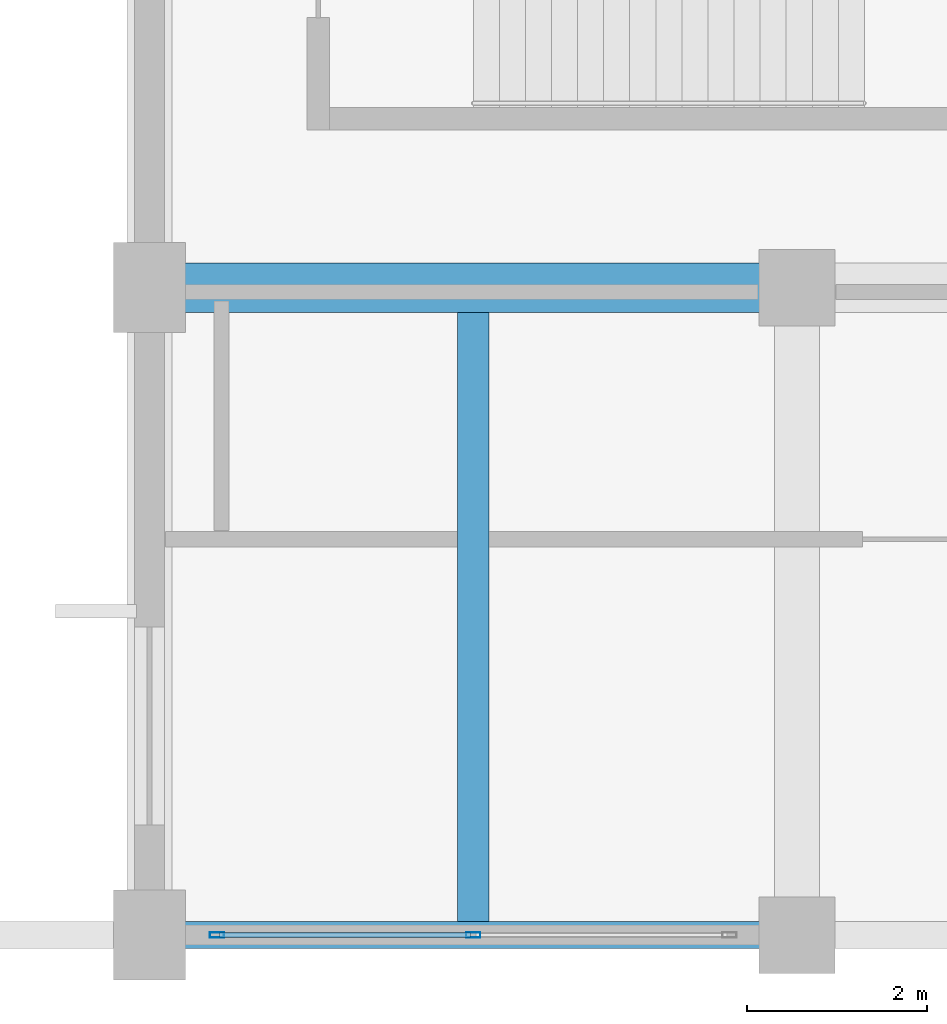
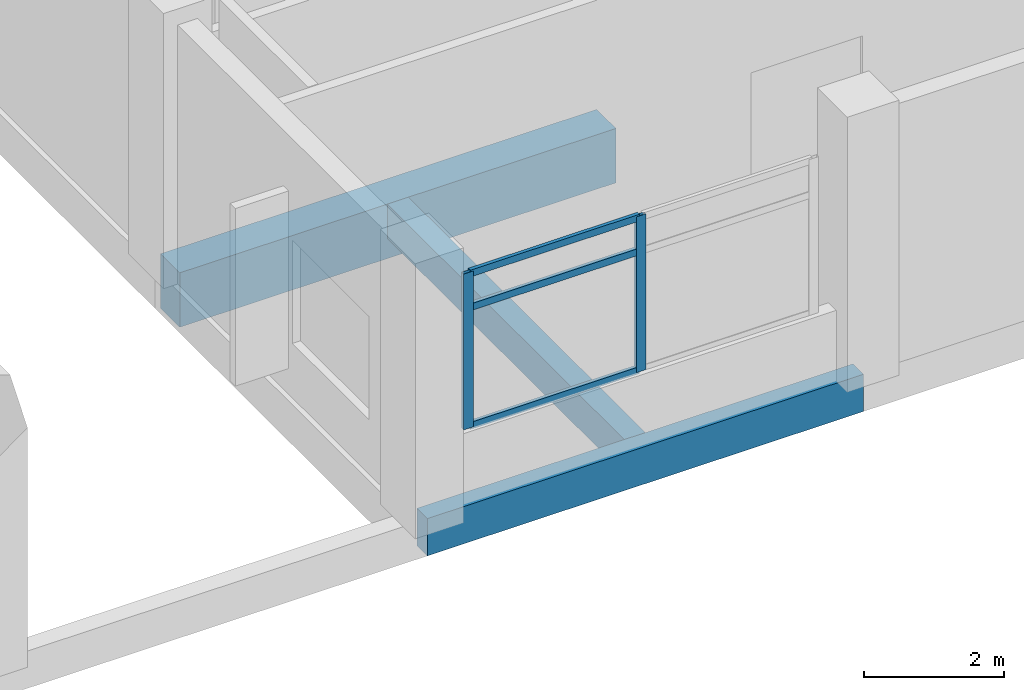
# One storey, part 6 of 181: 5 members, 3 beams, 1 element without a shape of its own.
"""IFC4 building model written with IfcOpenShell, lengths in metres."""

from ifc_helpers import new_model, si_unit, direction, frame, origin, origin_2d, place, context, subcontext, project, spatial, rectangle, hollow_rectangle, extrude, material, layer, layer_set, material_profile, profile_set, type_object, element, aggregate, save


model = new_model("IFC4")

# Units and contexts
model_context = context("Model", 3, precision=1e-05, world=origin(), true_north=direction((0.0, 1.0)))
body_context = subcontext(model_context, "Body", "Model", "MODEL_VIEW")
ifc_project = project(units=[si_unit("LENGTHUNIT", "METRE"), si_unit("AREAUNIT", "SQUARE_METRE"), si_unit("VOLUMEUNIT", "CUBIC_METRE"), si_unit("PLANEANGLEUNIT", "RADIAN"), si_unit("MASSUNIT", "GRAM", prefix="KILO")], contexts=[model_context])

# Site, building, storey
site_placement = place(None, origin())
site = spatial("IfcSite", under=ifc_project, at=site_placement, CompositionType="ELEMENT")
building_placement = place(site_placement, origin())
building = spatial("IfcBuilding", under=site, at=building_placement, Name="Seraya Terrace Polytechnic", CompositionType="ELEMENT")
storey_placement = place(building_placement, frame((0.0, 0.0, 4.800048828125)))
storey = spatial("IfcBuildingStorey", under=building, at=storey_placement, Name="L01", CompositionType="ELEMENT", Elevation=4.800048828125)

# Beam
ifc_material_1 = material(Name="Concrete C40/50", Category="concrete")
ifc_material_profile_1 = material_profile(ifc_material_1, rectangle(XDim=0.550048828125, YDim=0.949951171875, at=origin_2d()), Name="RC 550x950")
ifc_profile_set_1 = profile_set([ifc_material_profile_1], Name="Concrete C40/50")
beam_type_1 = type_object("IfcBeamType", Name="BM-03", PredefinedType="BEAM", material=ifc_profile_set_1)
beam_1_placement = place(storey_placement, frame((43.199951171875, 7.199951171875, -0.47509765625), z_axis=(1.0, 0.0, 0.0), x_axis=(0.0, 1.0, 0.0)))
element("IfcBeam", 1, at=beam_1_placement, inside=storey, type_object=beam_type_1, Name="Beam BM-03 L01 X (43.2..50.4, 7.2)", PredefinedType="BEAM", context=body_context, shape_type="SweptSolid", body=[
    extrude(rectangle(XDim=0.550048828125, YDim=0.949951171875, at=origin_2d()), origin(), (0.0, 0.0, 1.0), 7.199951171875),
])

# Curtain wall, members
ifc_material_2 = material(Name="Anodised aluminium EN AW-6063 T6", Category="aluminium")
ifc_layer = layer(ifc_material_2, 0.179931640625, Name="CW-35")
ifc_layer_set = layer_set([ifc_layer], Name="Anodised aluminium EN AW-6063 T6")
curtain_wall_type = type_object("IfcCurtainWallType", Name="CW-35", PredefinedType="NOTDEFINED", material=ifc_layer_set)
curtain_wall_placement = place(storey_placement, origin())
curtain_wall = element("IfcCurtainWall", 2, at=curtain_wall_placement, inside=storey, type_object=curtain_wall_type, Name="Unitised curtain wall CW-35 (CW-L01-035)", PredefinedType="NOTDEFINED")
ifc_material_profile_2 = material_profile(ifc_material_2, hollow_rectangle(XDim=0.06005859375, YDim=0.159912109375, WallThickness=0.00341796875, at=origin_2d()), Name="RHS 160x60x3.5")
ifc_profile_set_2 = profile_set([ifc_material_profile_2], Name="Anodised aluminium EN AW-6063 T6")
member_type_1 = type_object("IfcMemberType", Name="CWM-02", PredefinedType="MULLION", material=ifc_profile_set_2)
member_1_placement = place(storey_placement, frame((46.800048828125, 0.0, 1.239990234375), z_axis=(0.0, 0.0, 1.0), x_axis=(0.0, -1.0, 0.0)))
member_1 = element("IfcMember", 3, at=member_1_placement, type_object=member_type_1, Name="CW-35 mullion 2", PredefinedType="MULLION", context=body_context, shape_type="SweptSolid", body=[
    extrude(hollow_rectangle(XDim=0.06005859375, YDim=0.159912109375, WallThickness=0.00341796875, at=origin_2d()), origin(), (0.0, 0.0, 1.0), 2.719970703125),
])
member_2_placement = place(storey_placement, frame((43.949951171875, 0.0, 1.239990234375), z_axis=(0.0, 0.0, 1.0), x_axis=(0.0, -1.0, 0.0)))
member_2 = element("IfcMember", 4, at=member_2_placement, type_object=member_type_1, Name="CW-35 mullion 3", PredefinedType="MULLION", context=body_context, shape_type="SweptSolid", body=[
    extrude(hollow_rectangle(XDim=0.06005859375, YDim=0.159912109375, WallThickness=0.00341796875, at=origin_2d()), origin(), (0.0, 0.0, 1.0), 2.719970703125),
])
ifc_material_profile_3 = material_profile(ifc_material_2, hollow_rectangle(XDim=0.06005859375, YDim=0.1201171875, WallThickness=0.003173828125, at=origin_2d()), Name="RHS 120x60x3.2")
ifc_profile_set_3 = profile_set([ifc_material_profile_3], Name="Anodised aluminium EN AW-6063 T6")
member_type_2 = type_object("IfcMemberType", Name="CWT-02", PredefinedType="USERDEFINED", material=ifc_profile_set_3)
member_3_placement = place(storey_placement, frame((46.77001953125, 0.0, 1.27001953125), z_axis=(-1.0, 0.0, 0.0), x_axis=(0.0, -1.0, 0.0)))
member_3 = element("IfcMember", 5, at=member_3_placement, type_object=member_type_2, Name="CW-35 transom 2.1", ObjectType="TRANSOM", PredefinedType="USERDEFINED", context=body_context, shape_type="SweptSolid", body=[
    extrude(hollow_rectangle(XDim=0.06005859375, YDim=0.1201171875, WallThickness=0.003173828125, at=origin_2d()), origin(), (0.0, 0.0, 1.0), 2.7900390625),
])
member_4_placement = place(storey_placement, frame((46.77001953125, 0.0, 3.33984375), z_axis=(-1.0, 0.0, 0.0), x_axis=(0.0, -1.0, 0.0)))
member_4 = element("IfcMember", 6, at=member_4_placement, type_object=member_type_2, Name="CW-35 transom 2.2", ObjectType="TRANSOM", PredefinedType="USERDEFINED", context=body_context, shape_type="SweptSolid", body=[
    extrude(hollow_rectangle(XDim=0.06005859375, YDim=0.1201171875, WallThickness=0.003173828125, at=origin_2d()), origin(), (0.0, 0.0, 1.0), 2.7900390625),
])
member_5_placement = place(storey_placement, frame((46.77001953125, 0.0, 3.929931640625), z_axis=(-1.0, 0.0, 0.0), x_axis=(0.0, -1.0, 0.0)))
member_5 = element("IfcMember", 7, at=member_5_placement, type_object=member_type_2, Name="CW-35 transom 2.3", ObjectType="TRANSOM", PredefinedType="USERDEFINED", context=body_context, shape_type="SweptSolid", body=[
    extrude(hollow_rectangle(XDim=0.06005859375, YDim=0.1201171875, WallThickness=0.003173828125, at=origin_2d()), origin(), (0.0, 0.0, 1.0), 2.7900390625),
])
aggregate(curtain_wall, [member_1, member_2, member_3, member_4, member_5])

# Beams
ifc_material_profile_4 = material_profile(ifc_material_1, rectangle(XDim=0.35009765625, YDim=0.60009765625, at=origin_2d()), Name="RC 350x600")
ifc_profile_set_4 = profile_set([ifc_material_profile_4], Name="Concrete C40/50")
beam_type_2 = type_object("IfcBeamType", Name="JS-02", PredefinedType="JOIST", material=ifc_profile_set_4)
beam_2_placement = place(storey_placement, frame((46.800048828125, 0.14990234375, -0.300048828125), z_axis=(0.0, 1.0, 0.0), x_axis=(-1.0, 0.0, 0.0)))
element("IfcBeam", 8, at=beam_2_placement, inside=storey, type_object=beam_type_2, Name="Secondary joist JS-02 L01", PredefinedType="JOIST", context=body_context, shape_type="SweptSolid", body=[
    extrude(rectangle(XDim=0.35009765625, YDim=0.60009765625, at=origin_2d()), origin(), (0.0, 0.0, 1.0), 6.775146484375),
])
ifc_material_profile_5 = material_profile(ifc_material_1, rectangle(XDim=0.300048828125, YDim=0.64990234375, at=origin_2d()), Name="RC 300x650")
ifc_profile_set_5 = profile_set([ifc_material_profile_5], Name="Concrete C40/50")
beam_type_3 = type_object("IfcBeamType", Name="SP-01", PredefinedType="SPANDREL", material=ifc_profile_set_5)
beam_3_placement = place(storey_placement, frame((43.199951171875, 0.0, -0.324951171875), z_axis=(1.0, 0.0, 0.0), x_axis=(0.0, 1.0, 0.0)))
element("IfcBeam", 9, at=beam_3_placement, inside=storey, type_object=beam_type_3, Name="Beam SP-01 L01 X (43.2..50.4, 0.0)", PredefinedType="SPANDREL", context=body_context, shape_type="SweptSolid", body=[
    extrude(rectangle(XDim=0.300048828125, YDim=0.64990234375, at=origin_2d()), origin(), (0.0, 0.0, 1.0), 7.199951171875),
])

save(model, "model.ifc")
